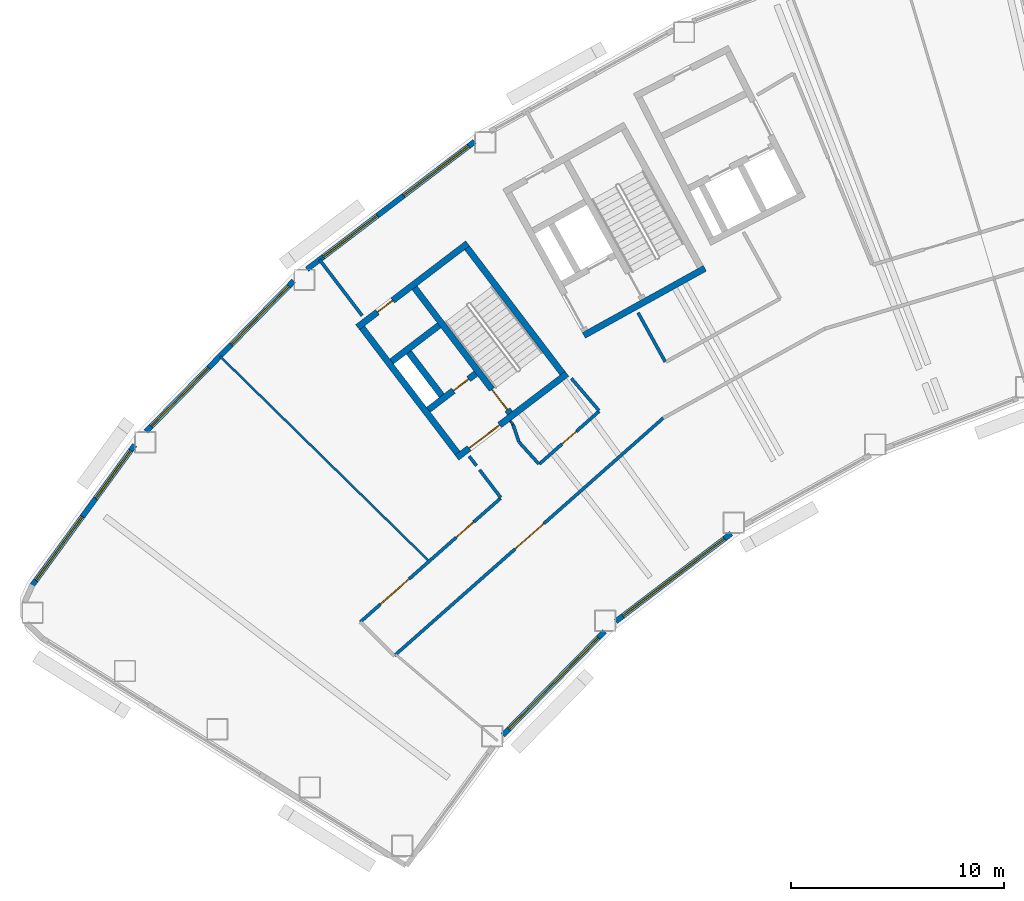
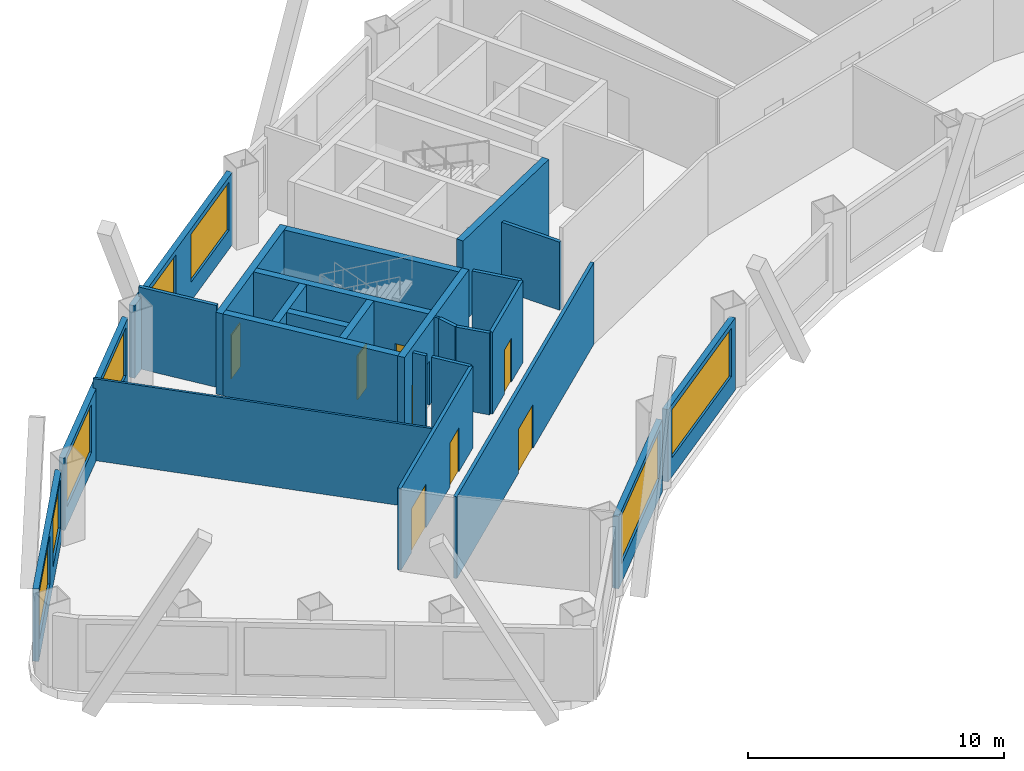
# One storey, part 3 of 11: 26 walls, 8 doors, 8 windows, 16 openings.
"""IFC4 building model written with IfcOpenShell, lengths in metres."""

import ifcopenshell
import ifcopenshell.guid

model = None  # the IFC model being written
_history = None  # IfcOwnerHistory: only IFC2X3 demands one
_inside = {}  # id of a spatial element -> (the spatial element, [elements in it])
_under = {}  # id of a project, library or spatial element -> (it, [spatial elements below it])
_declared = {}  # id of a project -> (the project, [libraries it declares])
_typed = {}  # id of a type object -> (the type object, [elements of that type])
_made_of = {}  # id of a material, layer set ... -> (it, [elements and type objects made of it])


def new_model(schema):
    """Start an empty IFC model of exactly this schema.

    Asked for "IFC4X3", IfcOpenShell would pick the latest addendum, in which some entities
    have other attributes; the version numbers below select the first issue.
    IFC2X3 requires an IfcOwnerHistory on every rooted entity: one is made here for all.
    """
    global model, _history
    if schema == "IFC4X3":
        model = ifcopenshell.file(schema_version=(4, 3, 0, 0))
    else:
        model = ifcopenshell.file(schema=schema)
    _inside.clear()
    _under.clear()
    _declared.clear()
    _typed.clear()
    _made_of.clear()
    _history = None
    if model.schema == "IFC2X3":
        org = make("IfcOrganization", Name="unknown")
        user = make(
            "IfcPersonAndOrganization",
            ThePerson=make("IfcPerson", FamilyName="unknown"),
            TheOrganization=org,
        )
        app = make(
            "IfcApplication",
            ApplicationDeveloper=org,
            Version="unknown",
            ApplicationFullName="unknown",
            ApplicationIdentifier="unknown",
        )
        _history = make(
            "IfcOwnerHistory",
            OwningUser=user,
            OwningApplication=app,
            ChangeAction="ADDED",
            CreationDate=0,
        )
    return model


def make(cls, **values):
    """One entity of the class cls with the attributes given. An attribute that is None is left unset."""
    return model.create_entity(
        cls, **{name: value for name, value in values.items() if value is not None}
    )


def rooted(cls, **values):
    """An entity with a GlobalId (a new one), such as an element, a storey or a relation."""
    return make(cls, GlobalId=ifcopenshell.guid.new(), OwnerHistory=_history, **values)


def si_unit(unit_type, name, prefix=None):
    """IfcSIUnit, for example si_unit("LENGTHUNIT", "METRE", prefix="MILLI")."""
    return make("IfcSIUnit", UnitType=unit_type, Prefix=prefix, Name=name)


def assignment(units):
    """IfcUnitAssignment: the units of a project."""
    return None if units is None else make("IfcUnitAssignment", Units=units)


def point(xyz):
    """IfcCartesianPoint."""
    return None if xyz is None else make("IfcCartesianPoint", Coordinates=xyz)


def direction(xyz):
    """IfcDirection."""
    return None if xyz is None else make("IfcDirection", DirectionRatios=xyz)


def frame(location, z_axis=None, x_axis=None):
    """IfcAxis2Placement3D, a coordinate frame: its origin and axes. An axis left out is left unset."""
    return make(
        "IfcAxis2Placement3D",
        Location=point(location),
        Axis=direction(z_axis),
        RefDirection=direction(x_axis),
    )


def frame_2d(location, x_axis=None):
    """IfcAxis2Placement2D, a coordinate frame in the plane: its origin and x axis."""
    return make(
        "IfcAxis2Placement2D", Location=point(location), RefDirection=direction(x_axis)
    )


def origin():
    """The frame at (0, 0, 0) with its axes left unset."""
    return frame((0.0, 0.0, 0.0))


def place(relative_to, where):
    """IfcLocalPlacement: puts the frame where relative to a parent placement (None: the world)."""
    return make(
        "IfcLocalPlacement", PlacementRelTo=relative_to, RelativePlacement=where
    )


def context(
    kind, dimensions, precision=None, world=None, true_north=None, identifier=None
):
    """IfcGeometricRepresentationContext, for example the 3D "Model" context."""
    return make(
        "IfcGeometricRepresentationContext",
        ContextIdentifier=identifier,
        ContextType=kind,
        CoordinateSpaceDimension=dimensions,
        Precision=precision,
        WorldCoordinateSystem=world,
        TrueNorth=true_north,
    )


def subcontext(parent, identifier, kind, view, scale=None):
    """IfcGeometricRepresentationSubContext, for example "Body" below "Model"."""
    return make(
        "IfcGeometricRepresentationSubContext",
        ContextIdentifier=identifier,
        ContextType=kind,
        ParentContext=parent,
        TargetScale=scale,
        TargetView=view,
    )


def project(units=None, contexts=None):
    """IfcProject with its units and contexts."""
    return rooted(
        "IfcProject",
        Name="project",
        RepresentationContexts=contexts,
        UnitsInContext=assignment(units),
    )


def spatial(cls, under=None, at=None, **own):
    """A site, building, storey or space (cls), placed at a placement, below another one or the project."""
    s = rooted(cls, ObjectPlacement=at, **own)
    if under is not None:
        _under.setdefault(under.id(), (under, []))[1].append(s)
    return s


def profile(cls, at=None, kind="AREA", **sizes):
    """A parametric profile (cls). Its sizes go by their IFC names, for example OverallWidth=200.0."""
    return make(cls, ProfileType=kind, Position=at, **sizes)


def rectangle(**sizes):
    """IfcRectangleProfileDef."""
    return profile("IfcRectangleProfileDef", **sizes)


def extrude(swept, where, along, depth):
    """IfcExtrudedAreaSolid: the profile swept, set in the frame where, extruded along a direction by depth."""
    return make(
        "IfcExtrudedAreaSolid",
        SweptArea=swept,
        Position=where,
        ExtrudedDirection=direction(along),
        Depth=depth,
    )


def shape(context_of_items, identifier, shape_type, items):
    """IfcShapeRepresentation: the items that make up one representation, for example the "Body"."""
    return make(
        "IfcShapeRepresentation",
        ContextOfItems=context_of_items,
        RepresentationIdentifier=identifier,
        RepresentationType=shape_type,
        Items=items,
    )


def material(Name=None, Category=None):
    """IfcMaterial."""
    return make("IfcMaterial", Name=Name, Category=Category)


def layer(
    of_material, thickness, ventilated=None, Name=None, Category=None, Priority=None
):
    """IfcMaterialLayer: one layer of a wall or slab, of a material (None: an air gap)."""
    return make(
        "IfcMaterialLayer",
        Material=of_material,
        LayerThickness=thickness,
        IsVentilated=ventilated,
        Name=Name,
        Category=Category,
        Priority=Priority,
    )


def layer_set(layers, Name=None):
    """IfcMaterialLayerSet."""
    return make("IfcMaterialLayerSet", MaterialLayers=layers, LayerSetName=Name)


def made_of(thing, what):
    """Note that an element or type object is made of a material, layer set ...; save() writes the relation."""
    if what is not None:
        _made_of.setdefault(what.id(), (what, []))[1].append(thing)
    return thing


def type_object(cls, material=None, **own):
    """A type object (cls), such as IfcWallType, which elements share."""
    return made_of(rooted(cls, **own), material)


def element(
    cls,
    number,
    at=None,
    inside=None,
    cuts=None,
    type_object=None,
    material=None,
    context=None,
    identifier="Body",
    shape_type=None,
    held_by="IfcProductDefinitionShape",
    body=None,
    shapes=None,
    **own,
):
    """One element of the class cls, such as IfcWall. Its Tag is "e" and its number.

    at: its placement. inside: the storey or other place that contains it. cuts: it is an
    opening in that element (IfcRelVoidsElement). A single representation is given by context,
    identifier, shape_type and body (its items); several are given by shapes. held_by: the class
    of the entity that holds the representations. save() writes the other relations.
    """
    e = rooted(cls, Tag="e%d" % number, ObjectPlacement=at, **own)
    if body is not None:
        shapes = [shape(context, identifier, shape_type, body)]
    if shapes is not None:
        e.Representation = make(held_by, Representations=shapes)
    if inside is not None:
        _inside.setdefault(inside.id(), (inside, []))[1].append(e)
    if cuts is not None:
        rooted(
            "IfcRelVoidsElement", RelatingBuildingElement=cuts, RelatedOpeningElement=e
        )
    if type_object is not None:
        _typed.setdefault(type_object.id(), (type_object, []))[1].append(e)
    return made_of(e, material)


def fill(opening, filler):
    """IfcRelFillsElement: the door or window that sits in an opening."""
    return rooted(
        "IfcRelFillsElement",
        RelatingOpeningElement=opening,
        RelatedBuildingElement=filler,
    )


def aggregate(whole, parts):
    """IfcRelAggregates: a whole, such as a stair, and the parts it consists of."""
    return rooted("IfcRelAggregates", RelatingObject=whole, RelatedObjects=parts)


def save(model, path):
    """Write the relations noted so far, then the file.

    IfcRelAggregates (storeys below a building ...), IfcRelContainedInSpatialStructure (elements
    in a storey), IfcRelDefinesByType, IfcRelAssociatesMaterial and IfcRelDeclares: one each for
    every whole, place, type object, material and project.
    """
    for whole, parts in _under.values():
        aggregate(whole, parts)
    for where, things in _inside.values():
        rooted(
            "IfcRelContainedInSpatialStructure",
            RelatedElements=things,
            RelatingStructure=where,
        )
    for kind, things in _typed.values():
        rooted("IfcRelDefinesByType", RelatedObjects=things, RelatingType=kind)
    for what, things in _made_of.values():
        rooted("IfcRelAssociatesMaterial", RelatedObjects=things, RelatingMaterial=what)
    for by, libraries in _declared.values():
        rooted("IfcRelDeclares", RelatingContext=by, RelatedDefinitions=libraries)
    model.write(path)


model = new_model("IFC4")

# Units and contexts
model_context = context("Model", 3, precision=1e-05, world=origin(), true_north=direction((0.0, 1.0)))
body_context = subcontext(model_context, "Body", "Model", "MODEL_VIEW")
ifc_project = project(units=[si_unit("LENGTHUNIT", "METRE"), si_unit("AREAUNIT", "SQUARE_METRE"), si_unit("VOLUMEUNIT", "CUBIC_METRE"), si_unit("PLANEANGLEUNIT", "RADIAN"), si_unit("MASSUNIT", "GRAM", prefix="KILO")], contexts=[model_context])

# Site, building, storey
site_placement = place(None, origin())
site = spatial("IfcSite", under=ifc_project, at=site_placement, CompositionType="ELEMENT")
building_placement = place(site_placement, origin())
building = spatial("IfcBuilding", under=site, at=building_placement, Name="Tuul Gate Civic Tower", CompositionType="ELEMENT")
storey_placement = place(building_placement, frame((0.0, 0.0, 138.199951171875)))
storey = spatial("IfcBuildingStorey", under=building, at=storey_placement, Name="Level 31", CompositionType="ELEMENT", Elevation=138.199951171875)

# Wall, opening, door
ifc_material_1 = material(Name="Concrete C50/60", Category="concrete")
ifc_layer_1 = layer(ifc_material_1, 0.300048828125)
ifc_layer_set_1 = layer_set([ifc_layer_1], Name="Concrete C50/60")
wall_type_1 = type_object("IfcWallType", Name="Core wall C50/60", PredefinedType="SHEAR", material=ifc_layer_set_1)
wall_1_placement = place(storey_placement, frame((-31.19091796875, -13.669677734375, 0.0), z_axis=(0.0, 0.0, 1.0), x_axis=(-0.795606717756, -0.605813461934, 0.0)))
wall_1 = element("IfcWall", 1, at=wall_1_placement, inside=storey, type_object=wall_type_1, Name="Core wall", PredefinedType="SHEAR", context=body_context, shape_type="SweptSolid", body=[
    extrude(rectangle(XDim=6.5, YDim=0.300048828125, at=frame_2d((3.25, 0.0))), origin(), (0.0, 0.0, 1.0), 3.900146484375),
])
opening_1_placement = place(wall_1_placement, frame((3.97509765625, 0.0, 0.0)))
opening_1 = element("IfcOpeningElement", 2, at=opening_1_placement, cuts=wall_1, Name="Opening LB-W1-LOBBY-1", PredefinedType="OPENING", context=body_context, shape_type="SweptSolid", body=[
    extrude(rectangle(XDim=1.800048828125, YDim=2.10009765625, at=frame_2d((0.89990234375, 1.050048828125))), frame((0.0, 0.16015625, 0.0), z_axis=(0.0, -1.0, 0.0), x_axis=(1.0, 0.0, 0.0)), (0.0, 0.0, 1.0), 0.320068359375),
])
ifc_material_2 = material(Name="Steel", Category="steel")
door_type_1 = type_object("IfcDoorType", Name="Lobby door", OperationType="DOUBLE_DOOR_SINGLE_SWING", PredefinedType="DOOR", material=ifc_material_2)
door_1_placement = place(opening_1_placement, origin())
door_1 = element("IfcDoor", 3, at=door_1_placement, inside=storey, type_object=door_type_1, Name="Lobby door W1-LOBBY", OperationType="DOUBLE_DOOR_SINGLE_SWING", OverallHeight=2.10009765625, OverallWidth=1.800048828125, PredefinedType="DOOR", context=body_context, shape_type="SweptSolid", body=[
    extrude(rectangle(XDim=1.800048828125, YDim=2.10009765625, at=frame_2d((0.89990234375, 1.050048828125))), frame((0.0, 0.02490234375, 0.0), z_axis=(0.0, -1.0, 0.0), x_axis=(1.0, 0.0, 0.0)), (0.0, 0.0, 1.0), 0.050048828125),
])
fill(opening_1, door_1)

wall_2_placement = place(storey_placement, frame((-35.470947265625, -13.66064453125, 0.0), z_axis=(0.0, 0.0, 1.0), x_axis=(-0.795615822227, -0.605801504968, 0.0)))
wall_2 = element("IfcWall", 4, at=wall_2_placement, inside=storey, type_object=wall_type_1, Name="Core wall", PredefinedType="SHEAR", context=body_context, shape_type="SweptSolid", body=[
    extrude(rectangle(XDim=2.800048828125, YDim=0.300048828125, at=frame_2d((1.39990234375, 0.0))), origin(), (0.0, 0.0, 1.0), 3.900146484375),
])
opening_2_placement = place(wall_2_placement, frame((0.425048828125, 0.0, 0.0)))
opening_2 = element("IfcOpeningElement", 5, at=opening_2_placement, cuts=wall_2, Name="Opening FB-W1A1", PredefinedType="OPENING", context=body_context, shape_type="SweptSolid", body=[
    extrude(rectangle(XDim=0.89990234375, YDim=2.10009765625, at=frame_2d((0.449951171875, 1.050048828125))), frame((0.0, 0.16015625, 0.0), z_axis=(0.0, -1.0, 0.0), x_axis=(1.0, 0.0, 0.0)), (0.0, 0.0, 1.0), 0.320068359375),
])
ifc_material_3 = material(Name="Steel", Category="steel")
door_type_2 = type_object("IfcDoorType", Name="Store door", OperationType="NOTDEFINED", PredefinedType="DOOR", material=ifc_material_3)
door_2_placement = place(opening_2_placement, frame((0.89990234375, 0.0, 0.0), z_axis=(0.0, 0.0, 1.0), x_axis=(-1.0, 0.0, 0.0)))
door_2 = element("IfcDoor", 6, at=door_2_placement, inside=storey, type_object=door_type_2, Name="Store door W1A1", OperationType="SINGLE_SWING_RIGHT", OverallHeight=2.10009765625, OverallWidth=0.89990234375, PredefinedType="DOOR", context=body_context, shape_type="SweptSolid", body=[
    extrude(rectangle(XDim=0.89990234375, YDim=2.10009765625, at=frame_2d((0.449951171875, 1.050048828125))), frame((0.0, 0.02490234375, 0.0), z_axis=(0.0, -1.0, 0.0), x_axis=(1.0, 0.0, 0.0)), (0.0, 0.0, 1.0), 0.050048828125),
])
fill(opening_2, door_2)

# Wall
wall_3_placement = place(storey_placement, frame((-37.197509765625, -11.39306640625, 0.0), z_axis=(0.0, 0.0, 1.0), x_axis=(-0.795583820278, -0.605843531707, 0.0)))
element("IfcWall", 7, at=wall_3_placement, inside=storey, type_object=wall_type_1, Name="Core wall", PredefinedType="SHEAR", context=body_context, shape_type="SweptSolid", body=[
    extrude(rectangle(XDim=2.7998046875, YDim=0.300048828125, at=frame_2d((1.39990234375, 0.0))), origin(), (0.0, 0.0, 1.0), 3.900146484375),
])

# Wall, opening, door
wall_4_placement = place(storey_placement, frame((-35.855224609375, -7.543212890625, 0.0), z_axis=(0.0, 0.0, 1.0), x_axis=(-0.79563860527, -0.605771582202, 0.0)))
wall_4 = element("IfcWall", 8, at=wall_4_placement, inside=storey, type_object=wall_type_1, Name="Core wall", PredefinedType="SHEAR", context=body_context, shape_type="SweptSolid", body=[
    extrude(rectangle(XDim=6.5, YDim=0.300048828125, at=frame_2d((3.25, 0.0))), origin(), (0.0, 0.0, 1.0), 3.900146484375),
])
opening_3_placement = place(wall_4_placement, frame((4.425048828125, 0.0, 0.0)))
opening_3 = element("IfcOpeningElement", 9, at=opening_3_placement, cuts=wall_4, Name="Opening K-D22", PredefinedType="OPENING", context=body_context, shape_type="SweptSolid", body=[
    extrude(rectangle(XDim=0.89990234375, YDim=2.10009765625, at=frame_2d((0.449951171875, 1.050048828125))), frame((0.0, 0.16015625, 0.0), z_axis=(0.0, -1.0, 0.0), x_axis=(1.0, 0.0, 0.0)), (0.0, 0.0, 1.0), 0.320068359375),
])
ifc_material_4 = material(Name="Timber door leaf", Category="wood")
door_type_3 = type_object("IfcDoorType", Name="Door D09", OperationType="NOTDEFINED", PredefinedType="DOOR", material=ifc_material_4)
door_3_placement = place(opening_3_placement, origin())
door_3 = element("IfcDoor", 10, at=door_3_placement, inside=storey, type_object=door_type_3, Name="Door K-D22", OperationType="SINGLE_SWING_LEFT", OverallHeight=2.10009765625, OverallWidth=0.89990234375, PredefinedType="DOOR", context=body_context, shape_type="SweptSolid", body=[
    extrude(rectangle(XDim=0.89990234375, YDim=2.10009765625, at=frame_2d((0.449951171875, 1.050048828125))), frame((0.0, 0.02490234375, 0.0), z_axis=(0.0, -1.0, 0.0), x_axis=(1.0, 0.0, 0.0)), (0.0, 0.0, 1.0), 0.050048828125),
])
fill(opening_3, door_3)

# Wall
wall_5_placement = place(storey_placement, frame((-31.401123046875, -13.64111328125, 0.0), z_axis=(0.0, 0.0, 1.0), x_axis=(-0.605769822278, 0.795639945213, 0.0)))
element("IfcWall", 11, at=wall_5_placement, inside=storey, type_object=wall_type_1, Name="Core wall", PredefinedType="SHEAR", context=body_context, shape_type="SweptSolid", body=[
    extrude(rectangle(XDim=7.39990234375, YDim=0.300048828125, at=frame_2d((3.699951171875, 0.0))), origin(), (0.0, 0.0, 1.0), 3.900146484375),
])

# Wall, opening, door
wall_6_placement = place(storey_placement, frame((-33.867431640625, -15.51904296875, 0.0), z_axis=(0.0, 0.0, 1.0), x_axis=(-0.605769822278, 0.795639945213, 0.0)))
wall_6 = element("IfcWall", 12, at=wall_6_placement, inside=storey, type_object=wall_type_1, Name="Core wall", PredefinedType="SHEAR", context=body_context, shape_type="SweptSolid", body=[
    extrude(rectangle(XDim=7.39990234375, YDim=0.300048828125, at=frame_2d((3.699951171875, 0.0))), origin(), (0.0, 0.0, 1.0), 3.900146484375),
])
opening_4_placement = place(wall_6_placement, frame((0.199951171875, 0.0, 0.0)))
opening_4 = element("IfcOpeningElement", 13, at=opening_4_placement, cuts=wall_6, Name="Opening SD-ST-1", PredefinedType="OPENING", context=body_context, shape_type="SweptSolid", body=[
    extrude(rectangle(XDim=1.199951171875, YDim=2.10009765625, at=frame_2d((0.60009765625, 1.050048828125))), frame((0.0, 0.16015625, 0.0), z_axis=(0.0, -1.0, 0.0), x_axis=(1.0, 0.0, 0.0)), (0.0, 0.0, 1.0), 0.320068359375),
])
ifc_material_5 = material(Name="Steel", Category="steel")
door_type_4 = type_object("IfcDoorType", Name="Stair door", OperationType="NOTDEFINED", PredefinedType="DOOR", material=ifc_material_5)
door_4_placement = place(opening_4_placement, origin())
door_4 = element("IfcDoor", 14, at=door_4_placement, inside=storey, type_object=door_type_4, Name="Stair door ST-1", OperationType="SINGLE_SWING_LEFT", OverallHeight=2.10009765625, OverallWidth=1.199951171875, PredefinedType="DOOR", context=body_context, shape_type="SweptSolid", body=[
    extrude(rectangle(XDim=1.199951171875, YDim=2.10009765625, at=frame_2d((0.60009765625, 1.050048828125))), frame((0.0, 0.02490234375, 0.0), z_axis=(0.0, -1.0, 0.0), x_axis=(1.0, 0.0, 0.0)), (0.0, 0.0, 1.0), 0.050048828125),
])
fill(opening_4, door_4)

# Walls
wall_7_placement = place(storey_placement, frame((-37.073486328125, -14.6923828125, 0.0), z_axis=(0.0, 0.0, 1.0), x_axis=(-0.605728760074, 0.79567120673, 0.0)))
element("IfcWall", 15, at=wall_7_placement, inside=storey, type_object=wall_type_1, Name="Core wall", PredefinedType="SHEAR", context=body_context, shape_type="SweptSolid", body=[
    extrude(rectangle(XDim=2.550048828125, YDim=0.300048828125, at=frame_2d((1.27490234375, 0.0))), origin(), (0.0, 0.0, 1.0), 3.900146484375),
])
wall_8_placement = place(storey_placement, frame((-36.333984375, -17.397216796875, 0.0), z_axis=(0.0, 0.0, 1.0), x_axis=(-0.605753921168, 0.795652051458, 0.0)))
element("IfcWall", 16, at=wall_8_placement, inside=storey, type_object=wall_type_1, Name="Core wall", PredefinedType="SHEAR", context=body_context, shape_type="SweptSolid", body=[
    extrude(rectangle(XDim=7.400146484375, YDim=0.300048828125, at=frame_2d((3.7001953125, 0.0))), origin(), (0.0, 0.0, 1.0), 3.900146484375),
])
wall_9_placement = place(storey_placement, frame((-24.711669921875, -8.7158203125, 0.0), z_axis=(0.0, 0.0, 1.0), x_axis=(-0.874629909008, -0.484791215132, 0.0)))
element("IfcWall", 17, at=wall_9_placement, inside=storey, type_object=wall_type_1, Name="Core wall", PredefinedType="SHEAR", context=body_context, shape_type="SweptSolid", body=[
    extrude(rectangle(XDim=6.5, YDim=0.300048828125, at=frame_2d((3.25, 0.0))), origin(), (0.0, 0.0, 1.0), 3.900146484375),
])
ifc_material_6 = material(Name="Gypsum board partition")
ifc_layer_2 = layer(ifc_material_6, 0.14990234375)
ifc_layer_set_2 = layer_set([ifc_layer_2], Name="Gypsum board partition")
wall_type_2 = type_object("IfcWallType", Name="Corridor wall P150", PredefinedType="PARTITIONING", material=ifc_layer_set_2)
wall_10_placement = place(storey_placement, frame((-42.81591796875, -8.305908203125, 0.0), z_axis=(0.0, 0.0, 1.0), x_axis=(0.605792000774, -0.795623058865, 0.0)))
element("IfcWall", 18, at=wall_10_placement, inside=storey, type_object=wall_type_2, Name="p040", PredefinedType="PARTITIONING", context=body_context, shape_type="SweptSolid", body=[
    extrude(rectangle(XDim=3.30908203125, YDim=0.14990234375, at=frame_2d((1.654541015625, 0.0))), origin(), (0.0, 0.0, 1.0), 3.900146484375),
])
wall_11_placement = place(storey_placement, frame((-35.781982421875, -17.543701171875, 0.0), z_axis=(0.0, 0.0, 1.0), x_axis=(0.605689443853, -0.795701135858, 0.0)))
element("IfcWall", 19, at=wall_11_placement, inside=storey, type_object=wall_type_2, Name="p041", PredefinedType="PARTITIONING", context=body_context, shape_type="SweptSolid", body=[
    extrude(rectangle(XDim=0.5615234375, YDim=0.14990234375, at=frame_2d((0.28076171875, 0.0))), origin(), (0.0, 0.0, 1.0), 3.900146484375),
])
wall_12_placement = place(storey_placement, frame((-35.29541015625, -18.182861328125, 0.0), z_axis=(0.0, 0.0, 1.0), x_axis=(0.605782572561, -0.795630237473, 0.0)))
element("IfcWall", 20, at=wall_12_placement, inside=storey, type_object=wall_type_2, Name="p042", PredefinedType="PARTITIONING", context=body_context, shape_type="SweptSolid", body=[
    extrude(rectangle(XDim=1.636962890625, YDim=0.14990234375, at=frame_2d((0.818359375, 0.0))), origin(), (0.0, 0.0, 1.0), 3.900146484375),
])

# Wall, openings, doors
wall_13_placement = place(storey_placement, frame((-40.899658203125, -25.33203125, 0.0), z_axis=(0.0, 0.0, 1.0), x_axis=(0.749781945451, 0.66168499626, 0.0)))
wall_13 = element("IfcWall", 21, at=wall_13_placement, inside=storey, type_object=wall_type_2, Name="p043", PredefinedType="PARTITIONING", context=body_context, shape_type="SweptSolid", body=[
    extrude(rectangle(XDim=8.793212890625, YDim=0.14990234375, at=frame_2d((4.396484375, 0.0))), origin(), (0.0, 0.0, 1.0), 3.900146484375),
])
opening_5_placement = place(wall_13_placement, frame((6.003662109375, 0.0, 0.0)))
opening_5 = element("IfcOpeningElement", 22, at=opening_5_placement, cuts=wall_13, Name="Opening K-D16", PredefinedType="OPENING", context=body_context, shape_type="SweptSolid", body=[
    extrude(rectangle(XDim=1.10009765625, YDim=2.10009765625, at=frame_2d((0.550048828125, 1.050048828125))), frame((0.0, 0.0849609375, 0.0), z_axis=(0.0, -1.0, 0.0), x_axis=(1.0, 0.0, 0.0)), (0.0, 0.0, 1.0), 0.169921875),
])
opening_6_placement = place(wall_13_placement, frame((1.2568359375, 0.0, 0.0)))
opening_6 = element("IfcOpeningElement", 23, at=opening_6_placement, cuts=wall_13, Name="Opening K-D17", PredefinedType="OPENING", context=body_context, shape_type="SweptSolid", body=[
    extrude(rectangle(XDim=1.800048828125, YDim=2.10009765625, at=frame_2d((0.89990234375, 1.050048828125))), frame((0.0, 0.0849609375, 0.0), z_axis=(0.0, -1.0, 0.0), x_axis=(1.0, 0.0, 0.0)), (0.0, 0.0, 1.0), 0.169921875),
])
ifc_material_7 = material(Name="Timber door leaf", Category="wood")
door_type_5 = type_object("IfcDoorType", Name="Door D11", OperationType="NOTDEFINED", PredefinedType="DOOR", material=ifc_material_7)
door_5_placement = place(opening_5_placement, origin())
door_5 = element("IfcDoor", 24, at=door_5_placement, inside=storey, type_object=door_type_5, Name="Door K-D16", OperationType="SINGLE_SWING_RIGHT", OverallHeight=2.10009765625, OverallWidth=1.10009765625, PredefinedType="DOOR", context=body_context, shape_type="SweptSolid", body=[
    extrude(rectangle(XDim=1.10009765625, YDim=2.10009765625, at=frame_2d((0.550048828125, 1.050048828125))), frame((0.0, 0.02490234375, 0.0), z_axis=(0.0, -1.0, 0.0), x_axis=(1.0, 0.0, 0.0)), (0.0, 0.0, 1.0), 0.050048828125),
])
fill(opening_5, door_5)
ifc_material_8 = material(Name="Timber door leaf, double", Category="wood")
door_type_6 = type_object("IfcDoorType", Name="Door D18", OperationType="DOUBLE_DOOR_SINGLE_SWING", PredefinedType="DOOR", material=ifc_material_8)
door_6_placement = place(opening_6_placement, origin())
door_6 = element("IfcDoor", 25, at=door_6_placement, inside=storey, type_object=door_type_6, Name="Door K-D17", OperationType="DOUBLE_DOOR_SINGLE_SWING", OverallHeight=2.10009765625, OverallWidth=1.800048828125, PredefinedType="DOOR", context=body_context, shape_type="SweptSolid", body=[
    extrude(rectangle(XDim=1.800048828125, YDim=2.10009765625, at=frame_2d((0.89990234375, 1.050048828125))), frame((0.0, 0.02490234375, 0.0), z_axis=(0.0, -1.0, 0.0), x_axis=(1.0, 0.0, 0.0)), (0.0, 0.0, 1.0), 0.050048828125),
])
fill(opening_6, door_6)

# Wall, opening, door
wall_14_placement = place(storey_placement, frame((-32.484375, -17.9052734375, 0.0), z_axis=(0.0, 0.0, 1.0), x_axis=(0.749792069246, 0.661673524403, 0.0)))
wall_14 = element("IfcWall", 26, at=wall_14_placement, inside=storey, type_object=wall_type_2, Name="p044", PredefinedType="PARTITIONING", context=body_context, shape_type="SweptSolid", body=[
    extrude(rectangle(XDim=3.73486328125, YDim=0.14990234375, at=frame_2d((1.867431640625, 0.0))), origin(), (0.0, 0.0, 1.0), 3.900146484375),
])
opening_7_placement = place(wall_14_placement, frame((1.417236328125, 0.0, 0.0)))
opening_7 = element("IfcOpeningElement", 27, at=opening_7_placement, cuts=wall_14, Name="Opening K-D21", PredefinedType="OPENING", context=body_context, shape_type="SweptSolid", body=[
    extrude(rectangle(XDim=0.89990234375, YDim=2.10009765625, at=frame_2d((0.449951171875, 1.050048828125))), frame((0.0, 0.0849609375, 0.0), z_axis=(0.0, -1.0, 0.0), x_axis=(1.0, 0.0, 0.0)), (0.0, 0.0, 1.0), 0.169921875),
])
door_7_placement = place(opening_7_placement, origin())
door_7 = element("IfcDoor", 28, at=door_7_placement, inside=storey, type_object=door_type_3, Name="Door K-D21", OperationType="SINGLE_SWING_RIGHT", OverallHeight=2.10009765625, OverallWidth=0.89990234375, PredefinedType="DOOR", context=body_context, shape_type="SweptSolid", body=[
    extrude(rectangle(XDim=0.89990234375, YDim=2.10009765625, at=frame_2d((0.449951171875, 1.050048828125))), frame((0.0, 0.02490234375, 0.0), z_axis=(0.0, -1.0, 0.0), x_axis=(1.0, 0.0, 0.0)), (0.0, 0.0, 1.0), 0.050048828125),
])
fill(opening_7, door_7)

wall_15_placement = place(storey_placement, frame((-39.298583984375, -26.912841796875, 0.0), z_axis=(0.0, 0.0, 1.0), x_axis=(0.749293653806, 0.662237888048, 0.0)))
wall_15 = element("IfcWall", 29, at=wall_15_placement, inside=storey, type_object=wall_type_2, Name="p047", PredefinedType="PARTITIONING", context=body_context, shape_type="SweptSolid", body=[
    extrude(rectangle(XDim=16.857421875, YDim=0.14990234375, at=frame_2d((8.4287109375, 0.0))), origin(), (0.0, 0.0, 1.0), 3.900146484375),
])
opening_8_placement = place(wall_15_placement, frame((7.57177734375, 0.0, 0.0)))
opening_8 = element("IfcOpeningElement", 30, at=opening_8_placement, cuts=wall_15, Name="Opening K-D20", PredefinedType="OPENING", context=body_context, shape_type="SweptSolid", body=[
    extrude(rectangle(XDim=1.800048828125, YDim=2.10009765625, at=frame_2d((0.89990234375, 1.050048828125))), frame((0.0, 0.0849609375, 0.0), z_axis=(0.0, -1.0, 0.0), x_axis=(1.0, 0.0, 0.0)), (0.0, 0.0, 1.0), 0.169921875),
])
door_8_placement = place(opening_8_placement, frame((1.800048828125, 0.0, 0.0), z_axis=(0.0, 0.0, 1.0), x_axis=(-1.0, 0.0, 0.0)))
door_8 = element("IfcDoor", 31, at=door_8_placement, inside=storey, type_object=door_type_6, Name="Door K-D20", OperationType="DOUBLE_DOOR_SINGLE_SWING", OverallHeight=2.10009765625, OverallWidth=1.800048828125, PredefinedType="DOOR", context=body_context, shape_type="SweptSolid", body=[
    extrude(rectangle(XDim=1.800048828125, YDim=2.10009765625, at=frame_2d((0.900146484375, 1.050048828125))), frame((0.0, 0.02490234375, 0.0), z_axis=(0.0, -1.0, 0.0), x_axis=(1.0, 0.0, 0.0)), (0.0, 0.0, 1.0), 0.050048828125),
])
fill(opening_8, door_8)

# Walls
wall_16_placement = place(storey_placement, frame((-30.98193359375, -13.888916015625, 0.0), z_axis=(0.0, 0.0, 1.0), x_axis=(0.65094236627, -0.759127153904, 0.0)))
element("IfcWall", 32, at=wall_16_placement, inside=storey, type_object=wall_type_2, Name="p053", PredefinedType="PARTITIONING", context=body_context, shape_type="SweptSolid", body=[
    extrude(rectangle(XDim=1.9970703125, YDim=0.14990234375, at=frame_2d((0.99853515625, 0.0))), origin(), (0.0, 0.0, 1.0), 3.900146484375),
])
wall_17_placement = place(storey_placement, frame((-33.44140625, -16.878173828125, 0.0), z_axis=(0.0, 0.0, 1.0), x_axis=(0.671010390582, -0.741447945395, 0.0)))
element("IfcWall", 33, at=wall_17_placement, inside=storey, type_object=wall_type_2, Name="p054", PredefinedType="PARTITIONING", context=body_context, shape_type="SweptSolid", body=[
    extrude(rectangle(XDim=1.383056640625, YDim=0.14990234375, at=frame_2d((0.69140625, 0.0))), origin(), (0.0, 0.0, 1.0), 3.900146484375),
])
wall_18_placement = place(storey_placement, frame((-33.7265625, -16.053466796875, 0.0), z_axis=(0.0, 0.0, 1.0), x_axis=(0.324534094139, -0.945873998872, 0.0)))
element("IfcWall", 34, at=wall_18_placement, inside=storey, type_object=wall_type_2, Name="p055", PredefinedType="PARTITIONING", context=body_context, shape_type="SweptSolid", body=[
    extrude(rectangle(XDim=0.86279296875, YDim=0.14990234375, at=frame_2d((0.431396484375, 0.0))), origin(), (0.0, 0.0, 1.0), 3.900146484375),
])
ifc_material_9 = material(Name="Gypsum board partition")
ifc_layer_3 = layer(ifc_material_9, 0.14990234375)
ifc_layer_set_3 = layer_set([ifc_layer_3], Name="Gypsum board partition")
wall_type_3 = type_object("IfcWallType", Name="Corridor wall P150 3250 HIGH", PredefinedType="PARTITIONING", material=ifc_layer_set_3)
wall_19_placement = place(storey_placement, frame((-27.850341796875, -10.799560546875, 0.0), z_axis=(0.0, 0.0, 1.0), x_axis=(0.484241113258, -0.874934594259, 0.0)))
element("IfcWall", 35, at=wall_19_placement, inside=storey, type_object=wall_type_3, Name="p038", PredefinedType="PARTITIONING", context=body_context, shape_type="SweptSolid", body=[
    extrude(rectangle(XDim=2.63330078125, YDim=0.14990234375, at=frame_2d((1.316650390625, 0.0))), origin(), (0.0, 0.0, 1.0), 3.25),
])

# Wall, openings, windows
ifc_material_10 = material(Name="Precast concrete C40/50", Category="concrete")
ifc_layer_4 = layer(ifc_material_10, 0.25)
ifc_layer_set_4 = layer_set([ifc_layer_4], Name="Precast concrete C40/50")
wall_type_4 = type_object("IfcWallType", Name="External wall", PredefinedType="STANDARD", material=ifc_layer_set_4)
wall_20_placement = place(storey_placement, frame((-35.528076171875, -2.7626953125, 0.0), z_axis=(0.0, 0.0, 1.0), x_axis=(-0.79560098888, -0.605820985518, 0.0)))
wall_20 = element("IfcWall", 36, at=wall_20_placement, inside=storey, type_object=wall_type_4, Name="External wall", PredefinedType="STANDARD", context=body_context, shape_type="SweptSolid", body=[
    extrude(rectangle(XDim=9.89794921875, YDim=0.25, at=frame_2d((4.948974609375, 0.0))), origin(), (0.0, 0.0, 1.0), 3.449951171875),
])
opening_9_placement = place(wall_20_placement, frame((0.347412109375, 0.0, 0.89990234375)))
opening_9 = element("IfcOpeningElement", 37, at=opening_9_placement, cuts=wall_20, Name="Opening W22", PredefinedType="OPENING", context=body_context, shape_type="SweptSolid", body=[
    extrude(rectangle(XDim=3.85009765625, YDim=2.300048828125, at=frame_2d((1.925048828125, 1.14990234375))), frame((0.0, 0.135009765625, 0.0), z_axis=(0.0, -1.0, 0.0), x_axis=(1.0, 0.0, 0.0)), (0.0, 0.0, 1.0), 0.27001953125),
])
opening_10_placement = place(wall_20_placement, frame((5.7373046875, 0.0, 0.89990234375)))
opening_10 = element("IfcOpeningElement", 38, at=opening_10_placement, cuts=wall_20, Name="Opening W48", PredefinedType="OPENING", context=body_context, shape_type="SweptSolid", body=[
    extrude(rectangle(XDim=3.199951171875, YDim=2.300048828125, at=frame_2d((1.60009765625, 1.14990234375))), frame((0.0, 0.135009765625, 0.0), z_axis=(0.0, -1.0, 0.0), x_axis=(1.0, 0.0, 0.0)), (0.0, 0.0, 1.0), 0.27001953125),
])
ifc_material_11 = material(Name="Glass", Category="glass")
window_type_1 = type_object("IfcWindowType", Name="Window 3200 x 2300", PartitioningType="SINGLE_PANEL", PredefinedType="WINDOW", material=ifc_material_11)
window_1_placement = place(opening_10_placement, origin())
window_1 = element("IfcWindow", 39, at=window_1_placement, inside=storey, type_object=window_type_1, Name="Window", OverallHeight=2.300048828125, OverallWidth=3.199951171875, PartitioningType="SINGLE_PANEL", PredefinedType="WINDOW", context=body_context, shape_type="SweptSolid", body=[
    extrude(rectangle(XDim=3.199951171875, YDim=2.300048828125, at=frame_2d((1.60009765625, 1.14990234375))), frame((0.0, 0.030029296875, 0.0), z_axis=(0.0, -1.0, 0.0), x_axis=(1.0, 0.0, 0.0)), (0.0, 0.0, 1.0), 0.06005859375),
])
fill(opening_10, window_1)
ifc_material_12 = material(Name="Glass", Category="glass")
window_type_2 = type_object("IfcWindowType", Name="Window W22 3850 x 2300", PartitioningType="SINGLE_PANEL", PredefinedType="WINDOW", material=ifc_material_12)
window_2_placement = place(opening_9_placement, origin())
window_2 = element("IfcWindow", 40, at=window_2_placement, inside=storey, type_object=window_type_2, Name="Window", OverallHeight=2.300048828125, OverallWidth=3.85009765625, PartitioningType="SINGLE_PANEL", PredefinedType="WINDOW", context=body_context, shape_type="SweptSolid", body=[
    extrude(rectangle(XDim=3.85009765625, YDim=2.300048828125, at=frame_2d((1.925048828125, 1.14990234375))), frame((0.0, 0.030029296875, 0.0), z_axis=(0.0, -1.0, 0.0), x_axis=(1.0, 0.0, 0.0)), (0.0, 0.0, 1.0), 0.06005859375),
])
fill(opening_9, window_2)

wall_21_placement = place(storey_placement, frame((-44.02392578125, -9.3056640625, 0.0), z_axis=(0.0, 0.0, 1.0), x_axis=(-0.700052449461, -0.714091428323, 0.0)))
wall_21 = element("IfcWall", 41, at=wall_21_placement, inside=storey, type_object=wall_type_4, Name="External wall", PredefinedType="STANDARD", context=body_context, shape_type="SweptSolid", body=[
    extrude(rectangle(XDim=9.912353515625, YDim=0.25, at=frame_2d((4.9560546875, 0.0))), origin(), (0.0, 0.0, 1.0), 3.449951171875),
])
opening_11_placement = place(wall_21_placement, frame((0.344482421875, 0.0, 0.89990234375)))
opening_11 = element("IfcOpeningElement", 42, at=opening_11_placement, cuts=wall_21, Name="Opening W22", PredefinedType="OPENING", context=body_context, shape_type="SweptSolid", body=[
    extrude(rectangle(XDim=3.85009765625, YDim=2.300048828125, at=frame_2d((1.925048828125, 1.14990234375))), frame((0.0, 0.135009765625, 0.0), z_axis=(0.0, -1.0, 0.0), x_axis=(1.0, 0.0, 0.0)), (0.0, 0.0, 1.0), 0.27001953125),
])
opening_12_placement = place(wall_21_placement, frame((5.715576171875, 0.0, 0.89990234375)))
opening_12 = element("IfcOpeningElement", 43, at=opening_12_placement, cuts=wall_21, Name="Opening W22", PredefinedType="OPENING", context=body_context, shape_type="SweptSolid", body=[
    extrude(rectangle(XDim=3.85009765625, YDim=2.300048828125, at=frame_2d((1.925048828125, 1.14990234375))), frame((0.0, 0.135009765625, 0.0), z_axis=(0.0, -1.0, 0.0), x_axis=(1.0, 0.0, 0.0)), (0.0, 0.0, 1.0), 0.27001953125),
])
window_3_placement = place(opening_11_placement, origin())
window_3 = element("IfcWindow", 44, at=window_3_placement, inside=storey, type_object=window_type_2, Name="Window", OverallHeight=2.300048828125, OverallWidth=3.85009765625, PartitioningType="SINGLE_PANEL", PredefinedType="WINDOW", context=body_context, shape_type="SweptSolid", body=[
    extrude(rectangle(XDim=3.85009765625, YDim=2.300048828125, at=frame_2d((1.925048828125, 1.14990234375))), frame((0.0, 0.030029296875, 0.0), z_axis=(0.0, -1.0, 0.0), x_axis=(1.0, 0.0, 0.0)), (0.0, 0.0, 1.0), 0.06005859375),
])
fill(opening_11, window_3)
window_4_placement = place(opening_12_placement, origin())
window_4 = element("IfcWindow", 45, at=window_4_placement, inside=storey, type_object=window_type_2, Name="Window", OverallHeight=2.300048828125, OverallWidth=3.85009765625, PartitioningType="SINGLE_PANEL", PredefinedType="WINDOW", context=body_context, shape_type="SweptSolid", body=[
    extrude(rectangle(XDim=3.85009765625, YDim=2.300048828125, at=frame_2d((1.925048828125, 1.14990234375))), frame((0.0, 0.030029296875, 0.0), z_axis=(0.0, -1.0, 0.0), x_axis=(1.0, 0.0, 0.0)), (0.0, 0.0, 1.0), 0.06005859375),
])
fill(opening_12, window_4)

wall_22_placement = place(storey_placement, frame((-51.498046875, -17.017578125, 0.0), z_axis=(0.0, 0.0, 1.0), x_axis=(-0.589745261817, -0.807589330145, 0.0)))
wall_22 = element("IfcWall", 46, at=wall_22_placement, inside=storey, type_object=wall_type_4, Name="External wall", PredefinedType="STANDARD", context=body_context, shape_type="SweptSolid", body=[
    extrude(rectangle(XDim=8.167724609375, YDim=0.25, at=frame_2d((4.083984375, 0.0))), origin(), (0.0, 0.0, 1.0), 3.449951171875),
])
opening_13_placement = place(wall_22_placement, frame((0.315185546875, 0.0, 0.89990234375)))
opening_13 = element("IfcOpeningElement", 47, at=opening_13_placement, cuts=wall_22, Name="Opening W23", PredefinedType="OPENING", context=body_context, shape_type="SweptSolid", body=[
    extrude(rectangle(XDim=2.800048828125, YDim=2.300048828125, at=frame_2d((1.39990234375, 1.14990234375))), frame((0.0, 0.135009765625, 0.0), z_axis=(0.0, -1.0, 0.0), x_axis=(1.0, 0.0, 0.0)), (0.0, 0.0, 1.0), 0.27001953125),
])
opening_14_placement = place(wall_22_placement, frame((4.1669921875, 0.0, 0.89990234375)))
opening_14 = element("IfcOpeningElement", 48, at=opening_14_placement, cuts=wall_22, Name="Opening W21", PredefinedType="OPENING", context=body_context, shape_type="SweptSolid", body=[
    extrude(rectangle(XDim=3.699951171875, YDim=2.300048828125, at=frame_2d((1.85009765625, 1.14990234375))), frame((0.0, 0.135009765625, 0.0), z_axis=(0.0, -1.0, 0.0), x_axis=(1.0, 0.0, 0.0)), (0.0, 0.0, 1.0), 0.27001953125),
])
ifc_material_13 = material(Name="Glass", Category="glass")
window_type_3 = type_object("IfcWindowType", Name="Window W21 3700 x 2300", PartitioningType="SINGLE_PANEL", PredefinedType="WINDOW", material=ifc_material_13)
window_5_placement = place(opening_14_placement, origin())
window_5 = element("IfcWindow", 49, at=window_5_placement, inside=storey, type_object=window_type_3, Name="Window", OverallHeight=2.300048828125, OverallWidth=3.699951171875, PartitioningType="SINGLE_PANEL", PredefinedType="WINDOW", context=body_context, shape_type="SweptSolid", body=[
    extrude(rectangle(XDim=3.699951171875, YDim=2.300048828125, at=frame_2d((1.85009765625, 1.14990234375))), frame((0.0, 0.030029296875, 0.0), z_axis=(0.0, -1.0, 0.0), x_axis=(1.0, 0.0, 0.0)), (0.0, 0.0, 1.0), 0.06005859375),
])
fill(opening_14, window_5)
ifc_material_14 = material(Name="Glass", Category="glass")
window_type_4 = type_object("IfcWindowType", Name="Window W23 2800 x 2300", PartitioningType="SINGLE_PANEL", PredefinedType="WINDOW", material=ifc_material_14)
window_6_placement = place(opening_13_placement, origin())
window_6 = element("IfcWindow", 50, at=window_6_placement, inside=storey, type_object=window_type_4, Name="Window", OverallHeight=2.300048828125, OverallWidth=2.800048828125, PartitioningType="SINGLE_PANEL", PredefinedType="WINDOW", context=body_context, shape_type="SweptSolid", body=[
    extrude(rectangle(XDim=2.800048828125, YDim=2.300048828125, at=frame_2d((1.39990234375, 1.14990234375))), frame((0.0, 0.030029296875, 0.0), z_axis=(0.0, -1.0, 0.0), x_axis=(1.0, 0.0, 0.0)), (0.0, 0.0, 1.0), 0.06005859375),
])
fill(opening_13, window_6)

# Wall, opening, window
wall_23_placement = place(storey_placement, frame((-34.20703125, -30.647216796875, 0.0), z_axis=(0.0, 0.0, 1.0), x_axis=(0.700046388208, 0.714097370361, 0.0)))
wall_23 = element("IfcWall", 51, at=wall_23_placement, inside=storey, type_object=wall_type_4, Name="External wall", PredefinedType="STANDARD", context=body_context, shape_type="SweptSolid", body=[
    extrude(rectangle(XDim=6.82861328125, YDim=0.25, at=frame_2d((3.414306640625, 0.0))), origin(), (0.0, 0.0, 1.0), 3.449951171875),
])
opening_15_placement = place(wall_23_placement, frame((0.4130859375, 0.0, 0.89990234375)))
opening_15 = element("IfcOpeningElement", 52, at=opening_15_placement, cuts=wall_23, Name="Opening W26", PredefinedType="OPENING", context=body_context, shape_type="SweptSolid", body=[
    extrude(rectangle(XDim=6.0, YDim=2.300048828125, at=frame_2d((3.0, 1.14990234375))), frame((0.0, 0.135009765625, 0.0), z_axis=(0.0, -1.0, 0.0), x_axis=(1.0, 0.0, 0.0)), (0.0, 0.0, 1.0), 0.27001953125),
])
ifc_material_15 = material(Name="Glass", Category="glass")
window_type_5 = type_object("IfcWindowType", Name="Window W26 6000 x 2300", PartitioningType="SINGLE_PANEL", PredefinedType="WINDOW", material=ifc_material_15)
window_7_placement = place(opening_15_placement, origin())
window_7 = element("IfcWindow", 53, at=window_7_placement, inside=storey, type_object=window_type_5, Name="Window", OverallHeight=2.300048828125, OverallWidth=6.0, PartitioningType="SINGLE_PANEL", PredefinedType="WINDOW", context=body_context, shape_type="SweptSolid", body=[
    extrude(rectangle(XDim=6.0, YDim=2.300048828125, at=frame_2d((3.0, 1.14990234375))), frame((0.0, 0.030029296875, 0.0), z_axis=(0.0, -1.0, 0.0), x_axis=(1.0, 0.0, 0.0)), (0.0, 0.0, 1.0), 0.06005859375),
])
fill(opening_15, window_7)

wall_24_placement = place(storey_placement, frame((-28.89306640625, -25.2998046875, 0.0), z_axis=(0.0, 0.0, 1.0), x_axis=(0.795597025415, 0.605826190546, 0.0)))
wall_24 = element("IfcWall", 54, at=wall_24_placement, inside=storey, type_object=wall_type_4, Name="External wall", PredefinedType="STANDARD", context=body_context, shape_type="SweptSolid", body=[
    extrude(rectangle(XDim=6.813232421875, YDim=0.25, at=frame_2d((3.40673828125, 0.0))), origin(), (0.0, 0.0, 1.0), 3.449951171875),
])
opening_16_placement = place(wall_24_placement, frame((0.41552734375, 0.0, 0.89990234375)))
opening_16 = element("IfcOpeningElement", 55, at=opening_16_placement, cuts=wall_24, Name="Opening W26", PredefinedType="OPENING", context=body_context, shape_type="SweptSolid", body=[
    extrude(rectangle(XDim=6.0, YDim=2.300048828125, at=frame_2d((3.0, 1.14990234375))), frame((0.0, 0.135009765625, 0.0), z_axis=(0.0, -1.0, 0.0), x_axis=(1.0, 0.0, 0.0)), (0.0, 0.0, 1.0), 0.27001953125),
])
window_8_placement = place(opening_16_placement, origin())
window_8 = element("IfcWindow", 56, at=window_8_placement, inside=storey, type_object=window_type_5, Name="Window", OverallHeight=2.300048828125, OverallWidth=6.0, PartitioningType="SINGLE_PANEL", PredefinedType="WINDOW", context=body_context, shape_type="SweptSolid", body=[
    extrude(rectangle(XDim=6.0, YDim=2.300048828125, at=frame_2d((3.0, 1.14990234375))), frame((0.0, 0.030029296875, 0.0), z_axis=(0.0, -1.0, 0.0), x_axis=(1.0, 0.0, 0.0)), (0.0, 0.0, 1.0), 0.06005859375),
])
fill(opening_16, window_8)

# Walls
ifc_material_16 = material(Name="Gypsum board partition")
ifc_layer_5 = layer(ifc_material_16, 0.10009765625)
ifc_layer_set_5 = layer_set([ifc_layer_5], Name="Gypsum board partition")
wall_type_5 = type_object("IfcWallType", Name="Partition P100", PredefinedType="PARTITIONING", material=ifc_layer_set_5)
wall_25_placement = place(storey_placement, frame((-47.49658203125, -12.8408203125, 0.0), z_axis=(0.0, 0.0, 1.0), x_axis=(0.714138543978, -0.700004385704, 0.0)))
element("IfcWall", 57, at=wall_25_placement, inside=storey, type_object=wall_type_5, Name="p039", PredefinedType="PARTITIONING", context=body_context, shape_type="SweptSolid", body=[
    extrude(rectangle(XDim=13.7666015625, YDim=0.10009765625, at=frame_2d((6.88330078125, 0.0))), origin(), (0.0, 0.0, 1.0), 3.900146484375),
])
wall_26_placement = place(storey_placement, frame((-33.7265625, -16.053466796875, 0.0), z_axis=(0.0, 0.0, 1.0), x_axis=(-0.605553776309, 0.795804388023, 0.0)))
element("IfcWall", 58, at=wall_26_placement, inside=storey, type_object=wall_type_5, Name="p060", PredefinedType="PARTITIONING", context=body_context, shape_type="SweptSolid", body=[
    extrude(rectangle(XDim=0.21044921875, YDim=0.10009765625, at=frame_2d((0.105224609375, 0.0))), origin(), (0.0, 0.0, 1.0), 3.900146484375),
])

save(model, "model.ifc")
